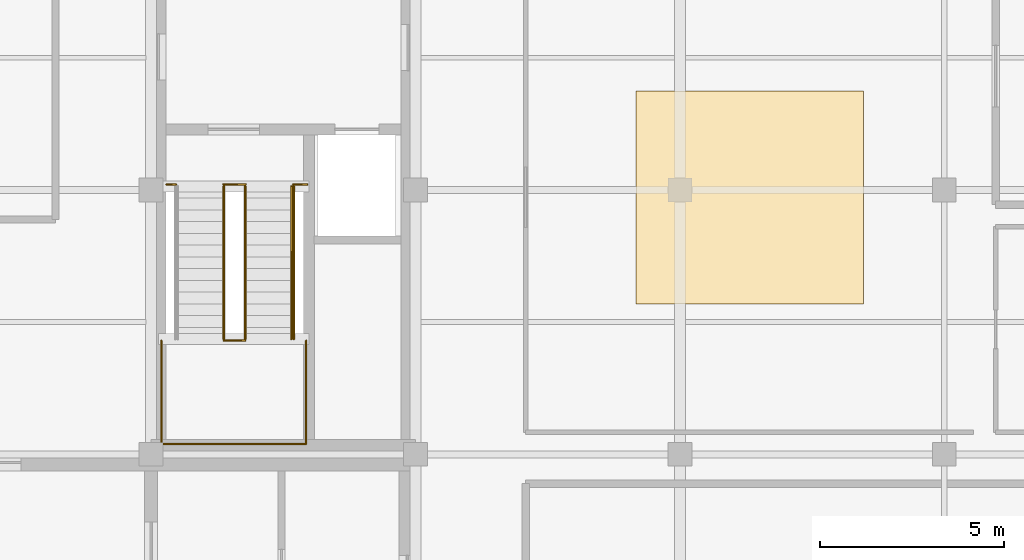
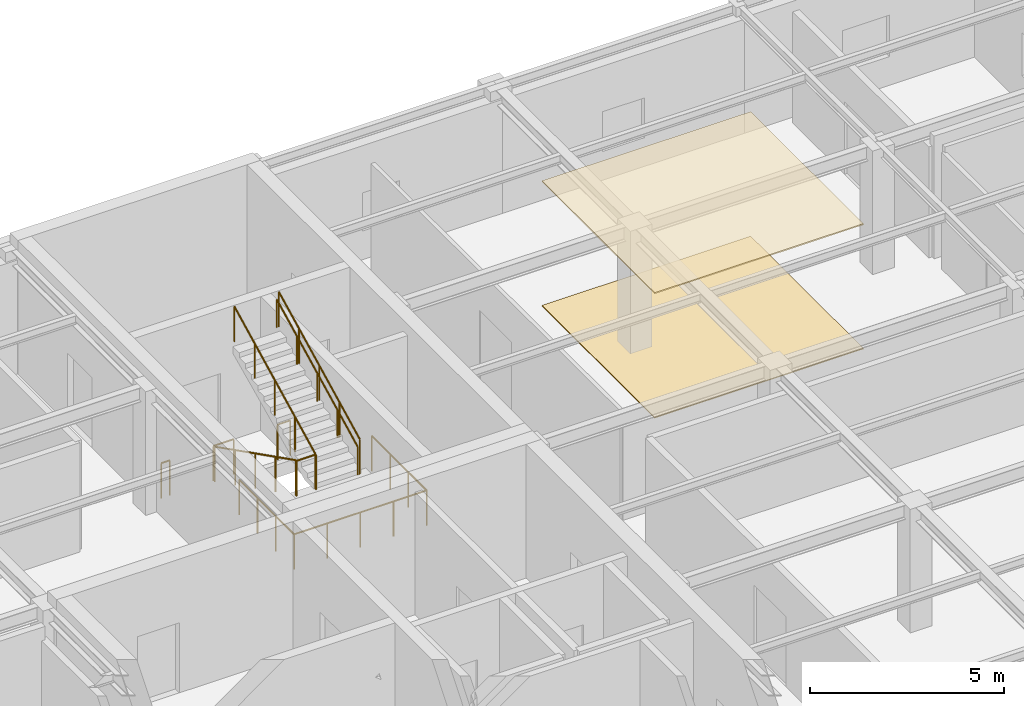
# One storey, part 63 of 64: 9 railings, 2 coverings.
"""IFC4 building model written with IfcOpenShell, lengths in metres."""

from ifc_helpers import new_model, si_unit, direction, frame, origin, origin_2d, place, context, subcontext, project, spatial, rectangle, circle, extrude, material, layer, layer_set, type_object, element, save


model = new_model("IFC4")

# Units and contexts
model_context = context("Model", 3, precision=1e-05, world=origin(), true_north=direction((0.0, 1.0)))
body_context = subcontext(model_context, "Body", "Model", "MODEL_VIEW")
ifc_project = project(units=[si_unit("LENGTHUNIT", "METRE"), si_unit("AREAUNIT", "SQUARE_METRE"), si_unit("VOLUMEUNIT", "CUBIC_METRE"), si_unit("PLANEANGLEUNIT", "RADIAN"), si_unit("MASSUNIT", "GRAM", prefix="KILO")], contexts=[model_context])

# Site, building, storey
site_placement = place(None, origin())
site = spatial("IfcSite", under=ifc_project, at=site_placement, CompositionType="ELEMENT")
building_placement = place(site_placement, origin())
building = spatial("IfcBuilding", under=site, at=building_placement, Name="Leyfeld Transit Interchange", CompositionType="ELEMENT")
storey_placement = place(building_placement, frame((0.0, 0.0, 9.60009765625)))
storey = spatial("IfcBuildingStorey", under=building, at=storey_placement, Name="L02", CompositionType="ELEMENT", Elevation=9.60009765625)

# Coverings
ifc_material_1 = material(Name="Austrian larch acoustic slat ceiling", Category="wood")
ifc_layer_1 = layer(ifc_material_1, 0.0400390625, Name="Austrian larch acoustic slat ceiling")
ifc_layer_set_1 = layer_set([ifc_layer_1], Name="Austrian larch acoustic slat ceiling")
covering_type_1 = type_object("IfcCoveringType", Name="COV-CLG-LRC", PredefinedType="CEILING", material=ifc_layer_set_1)
covering_1_placement = place(storey_placement, frame((30.699951171875, 115.0, 3.90478515625), z_axis=(0.0, 0.0, 1.0), x_axis=(1.0, 0.0, 0.0)))
element("IfcCovering", 1, at=covering_1_placement, inside=storey, type_object=covering_type_1, Name="Acoustic Slat Ceiling Signal Maintenance Engineers Office", PredefinedType="CEILING", context=body_context, shape_type="SweptSolid", body=[
    extrude(rectangle(XDim=6.199951171875, YDim=5.800048828125, at=origin_2d()), origin(), (0.0, 0.0, 1.0), 0.0400390625),
])
ifc_material_2 = material(Name="Polished Danube terrazzo flooring", Category="stone")
ifc_layer_2 = layer(ifc_material_2, 0.030029296875, Name="Polished Danube terrazzo flooring")
ifc_layer_set_2 = layer_set([ifc_layer_2], Name="Polished Danube terrazzo flooring")
covering_type_2 = type_object("IfcCoveringType", Name="COV-FLR-TRZ", PredefinedType="FLOORING", material=ifc_layer_set_2)
covering_2_placement = place(storey_placement, frame((30.699951171875, 115.0, 0.0), z_axis=(0.0, 0.0, 1.0), x_axis=(1.0, 0.0, 0.0)))
element("IfcCovering", 2, at=covering_2_placement, inside=storey, type_object=covering_type_2, Name="Terrazzo Flooring Signal Maintenance Engineers Office", PredefinedType="FLOORING", context=body_context, shape_type="SweptSolid", body=[
    extrude(rectangle(XDim=6.199951171875, YDim=5.800048828125, at=origin_2d()), origin(), (0.0, 0.0, 1.0), 0.030029296875),
])

# Railings
ifc_material_3 = material(Name="Stainless steel EN 1.4404", Category="steel")
railing_type_1 = type_object("IfcRailingType", Name="RL-STR-GRD-1100", PredefinedType="GUARDRAIL", material=ifc_material_3)
railing_1_placement = place(storey_placement, frame((14.820068359375, 115.35009765625, 0.0)))
element("IfcRailing", 3, at=railing_1_placement, inside=storey, type_object=railing_type_1, Name="Stair ST-02 Landing Guard FLW L02", PredefinedType="GUARDRAIL", context=body_context, shape_type="SweptSolid", body=[
    extrude(circle(Radius=0.02392578125, at=origin_2d()), frame((0.0, 0.0, 1.09619140625), z_axis=(1.0, 0.0, 0.0), x_axis=(0.0, 1.0, 0.0)), (0.0, 0.0, 1.0), 0.25),
    extrude(circle(Radius=0.02099609375, at=origin_2d()), origin(), (0.0, 0.0, 1.0), 1.072021484375),
    extrude(circle(Radius=0.02099609375, at=origin_2d()), frame((0.25, 0.0, 0.0)), (0.0, 0.0, 1.0), 1.072021484375),
])
railing_2_placement = place(storey_placement, frame((16.3701171875, 115.35009765625, 0.0)))
element("IfcRailing", 4, at=railing_2_placement, inside=storey, type_object=railing_type_1, Name="Stair ST-02 Landing Guard EYE L02", PredefinedType="GUARDRAIL", context=body_context, shape_type="SweptSolid", body=[
    extrude(circle(Radius=0.02392578125, at=origin_2d()), frame((0.0, 0.0, 1.09619140625), z_axis=(1.0, 0.0, 0.0), x_axis=(0.0, 1.0, 0.0)), (0.0, 0.0, 1.0), 0.599853515625),
    extrude(circle(Radius=0.02099609375, at=origin_2d()), origin(), (0.0, 0.0, 1.0), 1.072021484375),
    extrude(circle(Radius=0.02099609375, at=origin_2d()), frame((0.599853515625, 0.0, 0.0)), (0.0, 0.0, 1.0), 1.072021484375),
])
railing_3_placement = place(storey_placement, frame((18.27001953125, 115.35009765625, 0.0)))
element("IfcRailing", 5, at=railing_3_placement, inside=storey, type_object=railing_type_1, Name="Stair ST-02 Landing Guard FLE L02", PredefinedType="GUARDRAIL", context=body_context, shape_type="SweptSolid", body=[
    extrude(circle(Radius=0.02392578125, at=origin_2d()), frame((0.0, 0.0, 1.09619140625), z_axis=(1.0, 0.0, 0.0), x_axis=(0.0, 1.0, 0.0)), (0.0, 0.0, 1.0), 0.3798828125),
    extrude(circle(Radius=0.02099609375, at=origin_2d()), origin(), (0.0, 0.0, 1.0), 1.072021484375),
    extrude(circle(Radius=0.02099609375, at=origin_2d()), frame((0.3798828125, 0.0, 0.0)), (0.0, 0.0, 1.0), 1.072021484375),
])
railing_4_placement = place(storey_placement, frame((16.3798828125, 111.10009765625, 2.099853515625)))
element("IfcRailing", 6, at=railing_4_placement, inside=storey, type_object=railing_type_1, Name="Stair ST-02 L02 Half-Landing Inner Guard", PredefinedType="GUARDRAIL", context=body_context, shape_type="SweptSolid", body=[
    extrude(circle(Radius=0.02392578125, at=origin_2d()), frame((0.0, 0.0, 1.09619140625), z_axis=(1.0, 0.0, 0.0), x_axis=(0.0, 1.0, 0.0)), (0.0, 0.0, 1.0), 0.580078125),
    extrude(circle(Radius=0.02099609375, at=origin_2d()), origin(), (0.0, 0.0, 1.0), 1.072021484375),
    extrude(circle(Radius=0.02099609375, at=origin_2d()), frame((0.580078125, 0.0, 0.0)), (0.0, 0.0, 1.0), 1.072021484375),
])
railing_5_placement = place(storey_placement, frame((14.679931640625, 111.10009765625, 2.099853515625)))
element("IfcRailing", 7, at=railing_5_placement, inside=storey, type_object=railing_type_1, Name="Stair ST-02 L02 Half-Landing Perimeter Guard", PredefinedType="GUARDRAIL", context=body_context, shape_type="SweptSolid", body=[
    extrude(circle(Radius=0.02392578125, at=origin_2d()), frame((0.0, 0.0, 1.09619140625), z_axis=(0.0, -1.0, 0.0), x_axis=(1.0, 0.0, 0.0)), (0.0, 0.0, 1.0), 2.820068359375),
    extrude(circle(Radius=0.02392578125, at=origin_2d()), frame((0.0, -2.820068359375, 1.09619140625), z_axis=(1.0, 0.0, 0.0), x_axis=(0.0, 1.0, 0.0)), (0.0, 0.0, 1.0), 3.940185546875),
    extrude(circle(Radius=0.02392578125, at=origin_2d()), frame((3.940185546875, -2.820068359375, 1.09619140625), z_axis=(0.0, 1.0, 0.0), x_axis=(-1.0, 0.0, 0.0)), (0.0, 0.0, 1.0), 2.820068359375),
    extrude(circle(Radius=0.02099609375, at=origin_2d()), origin(), (0.0, 0.0, 1.0), 1.072021484375),
    extrude(circle(Radius=0.02099609375, at=origin_2d()), frame((0.0, -0.93994140625, 0.0)), (0.0, 0.0, 1.0), 1.072021484375),
    extrude(circle(Radius=0.02099609375, at=origin_2d()), frame((0.0, -1.880126953125, 0.0)), (0.0, 0.0, 1.0), 1.072021484375),
    extrude(circle(Radius=0.02099609375, at=origin_2d()), frame((0.0, -2.820068359375, 0.0)), (0.0, 0.0, 1.0), 1.072021484375),
    extrude(circle(Radius=0.02099609375, at=origin_2d()), frame((0.985107421875, -2.820068359375, 0.0)), (0.0, 0.0, 1.0), 1.072021484375),
    extrude(circle(Radius=0.02099609375, at=origin_2d()), frame((1.97021484375, -2.820068359375, 0.0)), (0.0, 0.0, 1.0), 1.072021484375),
    extrude(circle(Radius=0.02099609375, at=origin_2d()), frame((2.955078125, -2.820068359375, 0.0)), (0.0, 0.0, 1.0), 1.072021484375),
    extrude(circle(Radius=0.02099609375, at=origin_2d()), frame((3.940185546875, -2.820068359375, 0.0)), (0.0, 0.0, 1.0), 1.072021484375),
    extrude(circle(Radius=0.02099609375, at=origin_2d()), frame((3.940185546875, -1.880126953125, 0.0)), (0.0, 0.0, 1.0), 1.072021484375),
    extrude(circle(Radius=0.02099609375, at=origin_2d()), frame((3.940185546875, -0.93994140625, 0.0)), (0.0, 0.0, 1.0), 1.072021484375),
    extrude(circle(Radius=0.02099609375, at=origin_2d()), frame((3.940185546875, 0.0, 0.0)), (0.0, 0.0, 1.0), 1.072021484375),
])
railing_6_placement = place(storey_placement, frame((16.3798828125, 115.300048828125, 0.0)))
element("IfcRailing", 8, at=railing_6_placement, inside=storey, type_object=railing_type_1, Name="Stair ST-02 L02 F1 Inner Guard", PredefinedType="GUARDRAIL", context=body_context, shape_type="SweptSolid", body=[
    extrude(circle(Radius=0.02392578125, at=origin_2d()), frame((0.0, 0.0, 1.09619140625), z_axis=(0.0, -0.892723316593, 0.450605237442), x_axis=(1.0, 0.0, 0.0)), (0.0, 0.0, 1.0), 4.66015625),
    extrude(circle(Radius=0.02099609375, at=origin_2d()), origin(), (0.0, 0.0, 1.0), 1.072021484375),
    extrude(circle(Radius=0.02099609375, at=origin_2d()), frame((0.0, -1.0400390625, 0.52490234375)), (0.0, 0.0, 1.0), 1.072021484375),
    extrude(circle(Radius=0.02099609375, at=origin_2d()), frame((0.0, -2.080078125, 1.0498046875)), (0.0, 0.0, 1.0), 1.072021484375),
    extrude(circle(Radius=0.02099609375, at=origin_2d()), frame((0.0, -3.1201171875, 1.574951171875)), (0.0, 0.0, 1.0), 1.072021484375),
    extrude(circle(Radius=0.02099609375, at=origin_2d()), frame((0.0, -4.16015625, 2.099853515625)), (0.0, 0.0, 1.0), 1.072021484375),
])
for number, where, name in (
    (9, (16.9599609375, 111.139892578125, 2.099853515625), "Stair ST-02 L02 F2 Inner Guard"),
    (10, (18.280029296875, 111.139892578125, 2.099853515625), "Stair ST-02 L02 F2 Outer Guard"),
):
    element("IfcRailing", number, at=place(storey_placement, frame(where)), inside=storey, type_object=railing_type_1, Name=name, PredefinedType="GUARDRAIL", context=body_context, shape_type="SweptSolid", body=[
        extrude(circle(Radius=0.02392578125, at=origin_2d()), frame((0.0, 0.0, 1.09619140625), z_axis=(0.0, 0.892702241463, 0.450646988325), x_axis=(-1.0, 0.0, 0.0)), (0.0, 0.0, 1.0), 4.66015625),
        extrude(circle(Radius=0.02099609375, at=origin_2d()), origin(), (0.0, 0.0, 1.0), 1.072021484375),
        extrude(circle(Radius=0.02099609375, at=origin_2d()), frame((0.0, 1.0400390625, 0.52490234375)), (0.0, 0.0, 1.0), 1.072021484375),
        extrude(circle(Radius=0.02099609375, at=origin_2d()), frame((0.0, 2.080078125, 1.050048828125)), (0.0, 0.0, 1.0), 1.072021484375),
        extrude(circle(Radius=0.02099609375, at=origin_2d()), frame((0.0, 3.1201171875, 1.5751953125)), (0.0, 0.0, 1.0), 1.072021484375),
        extrude(circle(Radius=0.02099609375, at=origin_2d()), frame((0.0, 4.16015625, 2.10009765625)), (0.0, 0.0, 1.0), 1.072021484375),
    ])
railing_type_2 = type_object("IfcRailingType", Name="RL-STR-HND-900", PredefinedType="HANDRAIL", material=ifc_material_3)
railing_7_placement = place(storey_placement, frame((18.219970703125, 111.139892578125, 2.099853515625)))
element("IfcRailing", 11, at=railing_7_placement, inside=storey, type_object=railing_type_2, Name="Stair ST-02 L02 F2 Handrail", PredefinedType="HANDRAIL", context=body_context, shape_type="SweptSolid", body=[
    extrude(circle(Radius=0.02392578125, at=origin_2d()), frame((0.0, 0.0, 0.8759765625), z_axis=(0.0, 0.892702241463, 0.450646988325), x_axis=(-1.0, 0.0, 0.0)), (0.0, 0.0, 1.0), 4.66015625),
    extrude(circle(Radius=0.02099609375, at=origin_2d()), origin(), (0.0, 0.0, 1.0), 0.851806640625),
    extrude(circle(Radius=0.02099609375, at=origin_2d()), frame((0.0, 1.0400390625, 0.52490234375)), (0.0, 0.0, 1.0), 0.851806640625),
    extrude(circle(Radius=0.02099609375, at=origin_2d()), frame((0.0, 2.080078125, 1.050048828125)), (0.0, 0.0, 1.0), 0.851806640625),
    extrude(circle(Radius=0.02099609375, at=origin_2d()), frame((0.0, 3.1201171875, 1.5751953125)), (0.0, 0.0, 1.0), 0.851806640625),
    extrude(circle(Radius=0.02099609375, at=origin_2d()), frame((0.0, 4.16015625, 2.10009765625)), (0.0, 0.0, 1.0), 0.851806640625),
])

save(model, "model.ifc")
